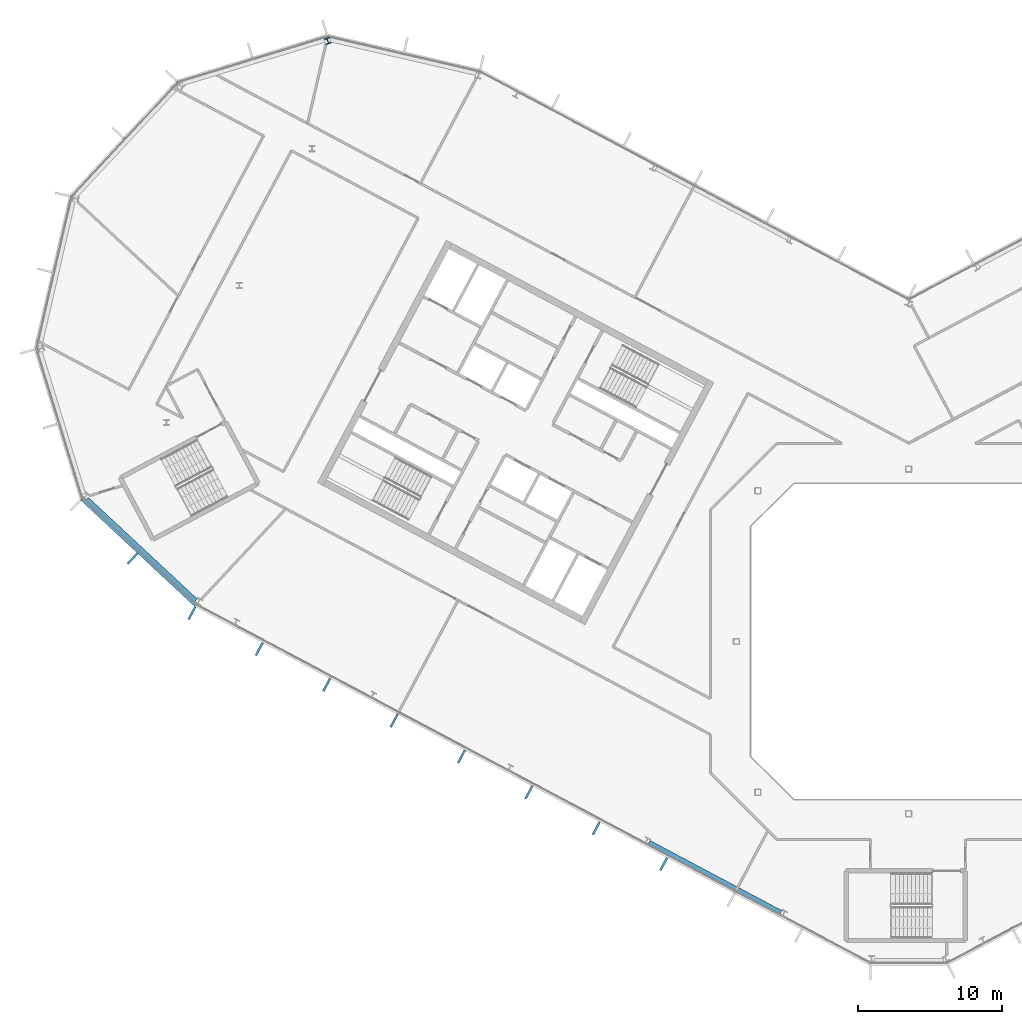
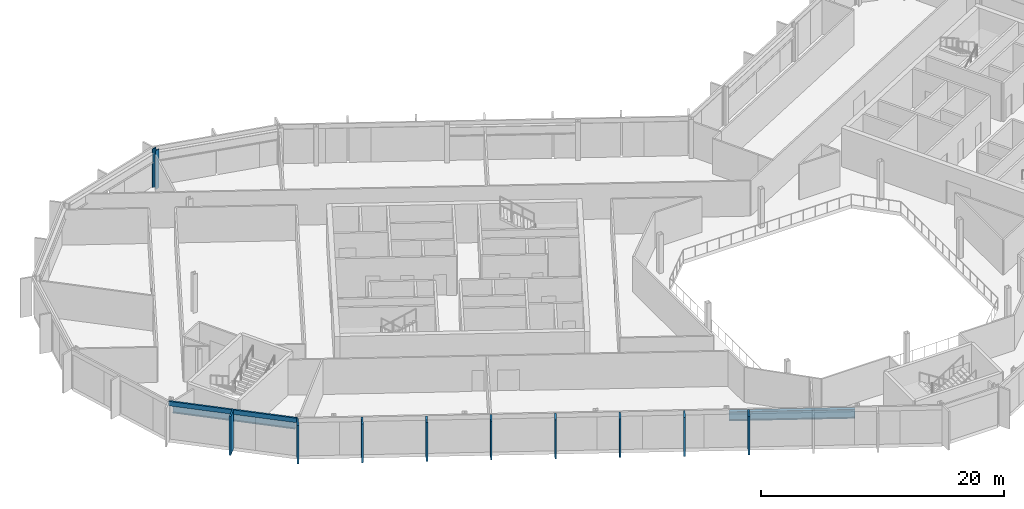
# One storey, part 8 of 25: 10 members, 2 beams, 1 column, 2 elements without a shape of their own.
"""IFC4 building model written with IfcOpenShell, lengths in metres."""

import ifcopenshell
import ifcopenshell.guid

model = None  # the IFC model being written
_history = None  # IfcOwnerHistory: only IFC2X3 demands one
_inside = {}  # id of a spatial element -> (the spatial element, [elements in it])
_under = {}  # id of a project, library or spatial element -> (it, [spatial elements below it])
_declared = {}  # id of a project -> (the project, [libraries it declares])
_typed = {}  # id of a type object -> (the type object, [elements of that type])
_made_of = {}  # id of a material, layer set ... -> (it, [elements and type objects made of it])


def new_model(schema):
    """Start an empty IFC model of exactly this schema.

    Asked for "IFC4X3", IfcOpenShell would pick the latest addendum, in which some entities
    have other attributes; the version numbers below select the first issue.
    IFC2X3 requires an IfcOwnerHistory on every rooted entity: one is made here for all.
    """
    global model, _history
    if schema == "IFC4X3":
        model = ifcopenshell.file(schema_version=(4, 3, 0, 0))
    else:
        model = ifcopenshell.file(schema=schema)
    _inside.clear()
    _under.clear()
    _declared.clear()
    _typed.clear()
    _made_of.clear()
    _history = None
    if model.schema == "IFC2X3":
        org = make("IfcOrganization", Name="unknown")
        user = make(
            "IfcPersonAndOrganization",
            ThePerson=make("IfcPerson", FamilyName="unknown"),
            TheOrganization=org,
        )
        app = make(
            "IfcApplication",
            ApplicationDeveloper=org,
            Version="unknown",
            ApplicationFullName="unknown",
            ApplicationIdentifier="unknown",
        )
        _history = make(
            "IfcOwnerHistory",
            OwningUser=user,
            OwningApplication=app,
            ChangeAction="ADDED",
            CreationDate=0,
        )
    return model


def make(cls, **values):
    """One entity of the class cls with the attributes given. An attribute that is None is left unset."""
    return model.create_entity(
        cls, **{name: value for name, value in values.items() if value is not None}
    )


def rooted(cls, **values):
    """An entity with a GlobalId (a new one), such as an element, a storey or a relation."""
    return make(cls, GlobalId=ifcopenshell.guid.new(), OwnerHistory=_history, **values)


def si_unit(unit_type, name, prefix=None):
    """IfcSIUnit, for example si_unit("LENGTHUNIT", "METRE", prefix="MILLI")."""
    return make("IfcSIUnit", UnitType=unit_type, Prefix=prefix, Name=name)


def assignment(units):
    """IfcUnitAssignment: the units of a project."""
    return None if units is None else make("IfcUnitAssignment", Units=units)


def point(xyz):
    """IfcCartesianPoint."""
    return None if xyz is None else make("IfcCartesianPoint", Coordinates=xyz)


def direction(xyz):
    """IfcDirection."""
    return None if xyz is None else make("IfcDirection", DirectionRatios=xyz)


def frame(location, z_axis=None, x_axis=None):
    """IfcAxis2Placement3D, a coordinate frame: its origin and axes. An axis left out is left unset."""
    return make(
        "IfcAxis2Placement3D",
        Location=point(location),
        Axis=direction(z_axis),
        RefDirection=direction(x_axis),
    )


def frame_2d(location, x_axis=None):
    """IfcAxis2Placement2D, a coordinate frame in the plane: its origin and x axis."""
    return make(
        "IfcAxis2Placement2D", Location=point(location), RefDirection=direction(x_axis)
    )


def origin():
    """The frame at (0, 0, 0) with its axes left unset."""
    return frame((0.0, 0.0, 0.0))


def origin_2d():
    """The frame at (0, 0) in the plane with its x axis left unset."""
    return frame_2d((0.0, 0.0))


def place(relative_to, where):
    """IfcLocalPlacement: puts the frame where relative to a parent placement (None: the world)."""
    return make(
        "IfcLocalPlacement", PlacementRelTo=relative_to, RelativePlacement=where
    )


def context(
    kind, dimensions, precision=None, world=None, true_north=None, identifier=None
):
    """IfcGeometricRepresentationContext, for example the 3D "Model" context."""
    return make(
        "IfcGeometricRepresentationContext",
        ContextIdentifier=identifier,
        ContextType=kind,
        CoordinateSpaceDimension=dimensions,
        Precision=precision,
        WorldCoordinateSystem=world,
        TrueNorth=true_north,
    )


def subcontext(parent, identifier, kind, view, scale=None):
    """IfcGeometricRepresentationSubContext, for example "Body" below "Model"."""
    return make(
        "IfcGeometricRepresentationSubContext",
        ContextIdentifier=identifier,
        ContextType=kind,
        ParentContext=parent,
        TargetScale=scale,
        TargetView=view,
    )


def project(units=None, contexts=None):
    """IfcProject with its units and contexts."""
    return rooted(
        "IfcProject",
        Name="project",
        RepresentationContexts=contexts,
        UnitsInContext=assignment(units),
    )


def spatial(cls, under=None, at=None, **own):
    """A site, building, storey or space (cls), placed at a placement, below another one or the project."""
    s = rooted(cls, ObjectPlacement=at, **own)
    if under is not None:
        _under.setdefault(under.id(), (under, []))[1].append(s)
    return s


def profile(cls, at=None, kind="AREA", **sizes):
    """A parametric profile (cls). Its sizes go by their IFC names, for example OverallWidth=200.0."""
    return make(cls, ProfileType=kind, Position=at, **sizes)


def rectangle(**sizes):
    """IfcRectangleProfileDef."""
    return profile("IfcRectangleProfileDef", **sizes)


def i_section(**sizes):
    """IfcIShapeProfileDef."""
    return profile("IfcIShapeProfileDef", **sizes)


def extrude(swept, where, along, depth):
    """IfcExtrudedAreaSolid: the profile swept, set in the frame where, extruded along a direction by depth."""
    return make(
        "IfcExtrudedAreaSolid",
        SweptArea=swept,
        Position=where,
        ExtrudedDirection=direction(along),
        Depth=depth,
    )


def shape(context_of_items, identifier, shape_type, items):
    """IfcShapeRepresentation: the items that make up one representation, for example the "Body"."""
    return make(
        "IfcShapeRepresentation",
        ContextOfItems=context_of_items,
        RepresentationIdentifier=identifier,
        RepresentationType=shape_type,
        Items=items,
    )


def material(Name=None, Category=None):
    """IfcMaterial."""
    return make("IfcMaterial", Name=Name, Category=Category)


def layer(
    of_material, thickness, ventilated=None, Name=None, Category=None, Priority=None
):
    """IfcMaterialLayer: one layer of a wall or slab, of a material (None: an air gap)."""
    return make(
        "IfcMaterialLayer",
        Material=of_material,
        LayerThickness=thickness,
        IsVentilated=ventilated,
        Name=Name,
        Category=Category,
        Priority=Priority,
    )


def layer_set(layers, Name=None):
    """IfcMaterialLayerSet."""
    return make("IfcMaterialLayerSet", MaterialLayers=layers, LayerSetName=Name)


def material_profile(
    of_material, cross_section, Name=None, Category=None, Priority=None
):
    """IfcMaterialProfile: a cross section and its material."""
    return make(
        "IfcMaterialProfile",
        Name=Name,
        Material=of_material,
        Profile=cross_section,
        Priority=Priority,
        Category=Category,
    )


def profile_set(profiles, Name=None, composite=None):
    """IfcMaterialProfileSet."""
    return make(
        "IfcMaterialProfileSet",
        Name=Name,
        MaterialProfiles=profiles,
        CompositeProfile=composite,
    )


def made_of(thing, what):
    """Note that an element or type object is made of a material, layer set ...; save() writes the relation."""
    if what is not None:
        _made_of.setdefault(what.id(), (what, []))[1].append(thing)
    return thing


def type_object(cls, material=None, **own):
    """A type object (cls), such as IfcWallType, which elements share."""
    return made_of(rooted(cls, **own), material)


def element(
    cls,
    number,
    at=None,
    inside=None,
    cuts=None,
    type_object=None,
    material=None,
    context=None,
    identifier="Body",
    shape_type=None,
    held_by="IfcProductDefinitionShape",
    body=None,
    shapes=None,
    **own,
):
    """One element of the class cls, such as IfcWall. Its Tag is "e" and its number.

    at: its placement. inside: the storey or other place that contains it. cuts: it is an
    opening in that element (IfcRelVoidsElement). A single representation is given by context,
    identifier, shape_type and body (its items); several are given by shapes. held_by: the class
    of the entity that holds the representations. save() writes the other relations.
    """
    e = rooted(cls, Tag="e%d" % number, ObjectPlacement=at, **own)
    if body is not None:
        shapes = [shape(context, identifier, shape_type, body)]
    if shapes is not None:
        e.Representation = make(held_by, Representations=shapes)
    if inside is not None:
        _inside.setdefault(inside.id(), (inside, []))[1].append(e)
    if cuts is not None:
        rooted(
            "IfcRelVoidsElement", RelatingBuildingElement=cuts, RelatedOpeningElement=e
        )
    if type_object is not None:
        _typed.setdefault(type_object.id(), (type_object, []))[1].append(e)
    return made_of(e, material)


def aggregate(whole, parts):
    """IfcRelAggregates: a whole, such as a stair, and the parts it consists of."""
    return rooted("IfcRelAggregates", RelatingObject=whole, RelatedObjects=parts)


def save(model, path):
    """Write the relations noted so far, then the file.

    IfcRelAggregates (storeys below a building ...), IfcRelContainedInSpatialStructure (elements
    in a storey), IfcRelDefinesByType, IfcRelAssociatesMaterial and IfcRelDeclares: one each for
    every whole, place, type object, material and project.
    """
    for whole, parts in _under.values():
        aggregate(whole, parts)
    for where, things in _inside.values():
        rooted(
            "IfcRelContainedInSpatialStructure",
            RelatedElements=things,
            RelatingStructure=where,
        )
    for kind, things in _typed.values():
        rooted("IfcRelDefinesByType", RelatedObjects=things, RelatingType=kind)
    for what, things in _made_of.values():
        rooted("IfcRelAssociatesMaterial", RelatedObjects=things, RelatingMaterial=what)
    for by, libraries in _declared.values():
        rooted("IfcRelDeclares", RelatingContext=by, RelatedDefinitions=libraries)
    model.write(path)


model = new_model("IFC4")

# Units and contexts
model_context = context("Model", 3, precision=1e-05, world=origin(), true_north=direction((0.0, 1.0)))
body_context = subcontext(model_context, "Body", "Model", "MODEL_VIEW")
ifc_project = project(units=[si_unit("LENGTHUNIT", "METRE"), si_unit("AREAUNIT", "SQUARE_METRE"), si_unit("VOLUMEUNIT", "CUBIC_METRE"), si_unit("PLANEANGLEUNIT", "RADIAN"), si_unit("MASSUNIT", "GRAM", prefix="KILO")], contexts=[model_context])

# Site, building, storey
site_placement = place(None, origin())
site = spatial("IfcSite", under=ifc_project, at=site_placement, CompositionType="ELEMENT")
building_placement = place(site_placement, origin())
building = spatial("IfcBuilding", under=site, at=building_placement, Name="Cormorant Relay Tower", CompositionType="ELEMENT")
storey_placement = place(building_placement, frame((0.0, 0.0, 273.60009765625)))
storey = spatial("IfcBuildingStorey", under=building, at=storey_placement, Name="L61", CompositionType="ELEMENT", Elevation=273.60009765625)

# Column
ifc_material_1 = material(Name="Steel ASTM A992 (Fy 345 MPa)", Category="steel")
ifc_material_profile_1 = material_profile(ifc_material_1, i_section(OverallWidth=0.40380859375, OverallDepth=0.406494140625, WebThickness=0.027099609375, FlangeThickness=0.043701171875, FilletRadius=0.01513671875, at=origin_2d()), Name="W360x347")
ifc_profile_set_1 = profile_set([ifc_material_profile_1], Name="Steel ASTM A992 (Fy 345 MPa)")
column_type = type_object("IfcColumnType", Name="Column W360x347", PredefinedType="COLUMN", material=ifc_profile_set_1)
column_placement = place(storey_placement, frame((-40.455078125, 41.823974609375, 0.0), z_axis=(0.0, 0.0, 1.0), x_axis=(-0.956304755963, -0.292371704723, 0.0)))
element("IfcColumn", 1, at=column_placement, inside=storey, type_object=column_type, Name="Column L61-043", PredefinedType="COLUMN", context=body_context, shape_type="SweptSolid", body=[
    extrude(i_section(OverallWidth=0.40380859375, OverallDepth=0.406494140625, WebThickness=0.027099609375, FlangeThickness=0.043701171875, FilletRadius=0.01513671875, at=origin_2d()), origin(), (0.0, 0.0, 1.0), 3.89990234375),
])

# Curtain wall, member
ifc_material_2 = material(Name="Aluminium 6063-T6 anodised bronze", Category="aluminium")
ifc_layer = layer(ifc_material_2, 0.199951171875)
ifc_layer_set = layer_set([ifc_layer], Name="CW1 unitised bronze curtain wall with vertical fins")
curtain_wall_type = type_object("IfcCurtainWallType", Name="CW1 unitised bronze curtain wall with vertical fins", PredefinedType="NOTDEFINED", material=ifc_layer_set)
curtain_wall_1_placement = place(storey_placement, origin())
curtain_wall_1 = element("IfcCurtainWall", 2, at=curtain_wall_1_placement, inside=storey, type_object=curtain_wall_type, Name="CW1 curtain wall 15", PredefinedType="NOTDEFINED")
ifc_material_3 = material(Name="Aluminium 6063-T6 anodised bronze", Category="aluminium")
ifc_material_profile_2 = material_profile(ifc_material_3, rectangle(XDim=0.14990234375, YDim=1.0, at=origin_2d()), Name="AL 150x1000")
ifc_profile_set_2 = profile_set([ifc_material_profile_2], Name="Aluminium 6063-T6 anodised bronze")
member_type_1 = type_object("IfcMemberType", Name="CW1 bronze fin mullion 150 x 1000", PredefinedType="MULLION", material=ifc_profile_set_2)
member_1_placement = place(storey_placement, frame((-54.0439453125, 5.779296875, 0.0), z_axis=(0.0, 0.0, 1.0), x_axis=(0.731353701619, -0.681998360062, 0.0)))
member_1 = element("IfcMember", 3, at=member_1_placement, type_object=member_type_1, Name="CW1 fin 15.2", PredefinedType="MULLION", context=body_context, shape_type="SweptSolid", body=[
    extrude(rectangle(XDim=0.14990234375, YDim=1.0, at=origin_2d()), origin(), (0.0, 0.0, 1.0), 3.89990234375),
])

# Curtain wall, members
curtain_wall_2_placement = place(storey_placement, origin())
curtain_wall_2 = element("IfcCurtainWall", 4, at=curtain_wall_2_placement, inside=storey, type_object=curtain_wall_type, Name="CW1 curtain wall 16", PredefinedType="NOTDEFINED")
member_2_placement = place(storey_placement, frame((-49.920166015625, 1.96630859375, 0.0), z_axis=(0.0, 0.0, 1.0), x_axis=(0.882947592859, -0.469471562786, 0.0)))
member_2 = element("IfcMember", 5, at=member_2_placement, type_object=member_type_1, Name="CW1 fin 16.1", PredefinedType="MULLION", context=body_context, shape_type="SweptSolid", body=[
    extrude(rectangle(XDim=0.14990234375, YDim=1.0, at=origin_2d()), origin(), (0.0, 0.0, 1.0), 3.89990234375),
])
member_3_placement = place(storey_placement, frame((-45.225830078125, -0.52978515625, 0.0), z_axis=(0.0, 0.0, 1.0), x_axis=(0.882947592859, -0.469471562786, 0.0)))
member_3 = element("IfcMember", 6, at=member_3_placement, type_object=member_type_1, Name="CW1 fin 16.2", PredefinedType="MULLION", context=body_context, shape_type="SweptSolid", body=[
    extrude(rectangle(XDim=0.14990234375, YDim=1.0, at=origin_2d()), origin(), (0.0, 0.0, 1.0), 3.89990234375),
])
member_4_placement = place(storey_placement, frame((-40.531494140625, -3.025634765625, 0.0), z_axis=(0.0, 0.0, 1.0), x_axis=(0.882947592859, -0.469471562786, 0.0)))
member_4 = element("IfcMember", 7, at=member_4_placement, type_object=member_type_1, Name="CW1 fin 16.3", PredefinedType="MULLION", context=body_context, shape_type="SweptSolid", body=[
    extrude(rectangle(XDim=0.14990234375, YDim=1.0, at=origin_2d()), origin(), (0.0, 0.0, 1.0), 3.89990234375),
])
member_5_placement = place(storey_placement, frame((-35.83740234375, -5.521728515625, 0.0), z_axis=(0.0, 0.0, 1.0), x_axis=(0.882947592859, -0.469471562786, 0.0)))
member_5 = element("IfcMember", 8, at=member_5_placement, type_object=member_type_1, Name="CW1 fin 16.4", PredefinedType="MULLION", context=body_context, shape_type="SweptSolid", body=[
    extrude(rectangle(XDim=0.14990234375, YDim=1.0, at=origin_2d()), origin(), (0.0, 0.0, 1.0), 3.89990234375),
])
member_6_placement = place(storey_placement, frame((-31.14306640625, -8.017578125, 0.0), z_axis=(0.0, 0.0, 1.0), x_axis=(0.882947592859, -0.469471562786, 0.0)))
member_6 = element("IfcMember", 9, at=member_6_placement, type_object=member_type_1, Name="CW1 fin 16.5", PredefinedType="MULLION", context=body_context, shape_type="SweptSolid", body=[
    extrude(rectangle(XDim=0.14990234375, YDim=1.0, at=origin_2d()), origin(), (0.0, 0.0, 1.0), 3.89990234375),
])
member_7_placement = place(storey_placement, frame((-26.44873046875, -10.513671875, 0.0), z_axis=(0.0, 0.0, 1.0), x_axis=(0.882947592859, -0.469471562786, 0.0)))
member_7 = element("IfcMember", 10, at=member_7_placement, type_object=member_type_1, Name="CW1 fin 16.6", PredefinedType="MULLION", context=body_context, shape_type="SweptSolid", body=[
    extrude(rectangle(XDim=0.14990234375, YDim=1.0, at=origin_2d()), origin(), (0.0, 0.0, 1.0), 3.89990234375),
])
member_8_placement = place(storey_placement, frame((-21.754638671875, -13.009765625, 0.0), z_axis=(0.0, 0.0, 1.0), x_axis=(0.882947592859, -0.469471562786, 0.0)))
member_8 = element("IfcMember", 11, at=member_8_placement, type_object=member_type_1, Name="CW1 fin 16.7", PredefinedType="MULLION", context=body_context, shape_type="SweptSolid", body=[
    extrude(rectangle(XDim=0.14990234375, YDim=1.0, at=origin_2d()), origin(), (0.0, 0.0, 1.0), 3.89990234375),
])
member_9_placement = place(storey_placement, frame((-17.060302734375, -15.505615234375, 0.0), z_axis=(0.0, 0.0, 1.0), x_axis=(0.882947592859, -0.469471562786, 0.0)))
member_9 = element("IfcMember", 12, at=member_9_placement, type_object=member_type_1, Name="CW1 fin 16.8", PredefinedType="MULLION", context=body_context, shape_type="SweptSolid", body=[
    extrude(rectangle(XDim=0.14990234375, YDim=1.0, at=origin_2d()), origin(), (0.0, 0.0, 1.0), 3.89990234375),
])
aggregate(curtain_wall_2, [member_2, member_3, member_4, member_5, member_6, member_7, member_8, member_9])

# Member
ifc_material_4 = material(Name="Aluminium 6063-T6 anodised bronze", Category="aluminium")
ifc_material_profile_3 = material_profile(ifc_material_4, rectangle(XDim=0.159912109375, YDim=0.449951171875, at=origin_2d()), Name="AL 160x450")
ifc_profile_set_3 = profile_set([ifc_material_profile_3], Name="Aluminium 6063-T6 anodised bronze")
member_type_2 = type_object("IfcMemberType", Name="CW1 bronze transom 160 x 450", PredefinedType="USERDEFINED", material=ifc_profile_set_3)
member_10_placement = place(storey_placement, frame((-57.62353515625, 9.91015625, 3.6748046875), z_axis=(0.731358420696, -0.681993299437, 0.0), x_axis=(0.681993299437, 0.731358420696, 0.0)))
member_10 = element("IfcMember", 13, at=member_10_placement, type_object=member_type_2, Name="CW1 transom 15", ObjectType="TRANSOM", PredefinedType="USERDEFINED", context=body_context, shape_type="SweptSolid", body=[
    extrude(rectangle(XDim=0.159912109375, YDim=0.449951171875, at=origin_2d()), origin(), (0.0, 0.0, 1.0), 10.870361328125),
])

aggregate(curtain_wall_1, [member_1, member_10])

# Beams
ifc_material_5 = material(Name="Steel ASTM A992 (Fy 345 MPa)", Category="steel")
ifc_material_profile_4 = material_profile(ifc_material_5, i_section(OverallWidth=0.307373046875, OverallDepth=0.927001953125, WebThickness=0.019287109375, FlangeThickness=0.031982421875, FilletRadius=0.01904296875, at=origin_2d()), Name="W920x289")
ifc_profile_set_4 = profile_set([ifc_material_profile_4], Name="Steel ASTM A992 (Fy 345 MPa)")
beam_type = type_object("IfcBeamType", Name="Spandrel W920x289", PredefinedType="SPANDREL", material=ifc_profile_set_4)
beam_1_placement = place(storey_placement, frame((-57.234619140625, 9.921630859375, 3.076416015625), z_axis=(0.731364191518, -0.681987110849, 0.0), x_axis=(0.681987110849, 0.731364191518, 0.0)))
element("IfcBeam", 14, at=beam_1_placement, inside=storey, type_object=beam_type, Name="Spandrel beam L61-015", PredefinedType="SPANDREL", context=body_context, shape_type="SweptSolid", body=[
    extrude(i_section(OverallWidth=0.307373046875, OverallDepth=0.927001953125, WebThickness=0.019287109375, FlangeThickness=0.031982421875, FilletRadius=0.01904296875, at=origin_2d()), origin(), (0.0, 0.0, 1.0), 10.37841796875),
])
beam_2_placement = place(storey_placement, frame((-18.0869140625, -13.992919921875, 3.076416015625), z_axis=(0.882946088703, -0.469474391681, 0.0), x_axis=(0.469474391681, 0.882946088703, 0.0)))
element("IfcBeam", 15, at=beam_2_placement, inside=storey, type_object=beam_type, Name="Spandrel beam L61-016", PredefinedType="SPANDREL", context=body_context, shape_type="SweptSolid", body=[
    extrude(i_section(OverallWidth=0.307373046875, OverallDepth=0.927001953125, WebThickness=0.019287109375, FlangeThickness=0.031982421875, FilletRadius=0.01904296875, at=origin_2d()), origin(), (0.0, 0.0, 1.0), 10.401611328125),
])

save(model, "model.ifc")
